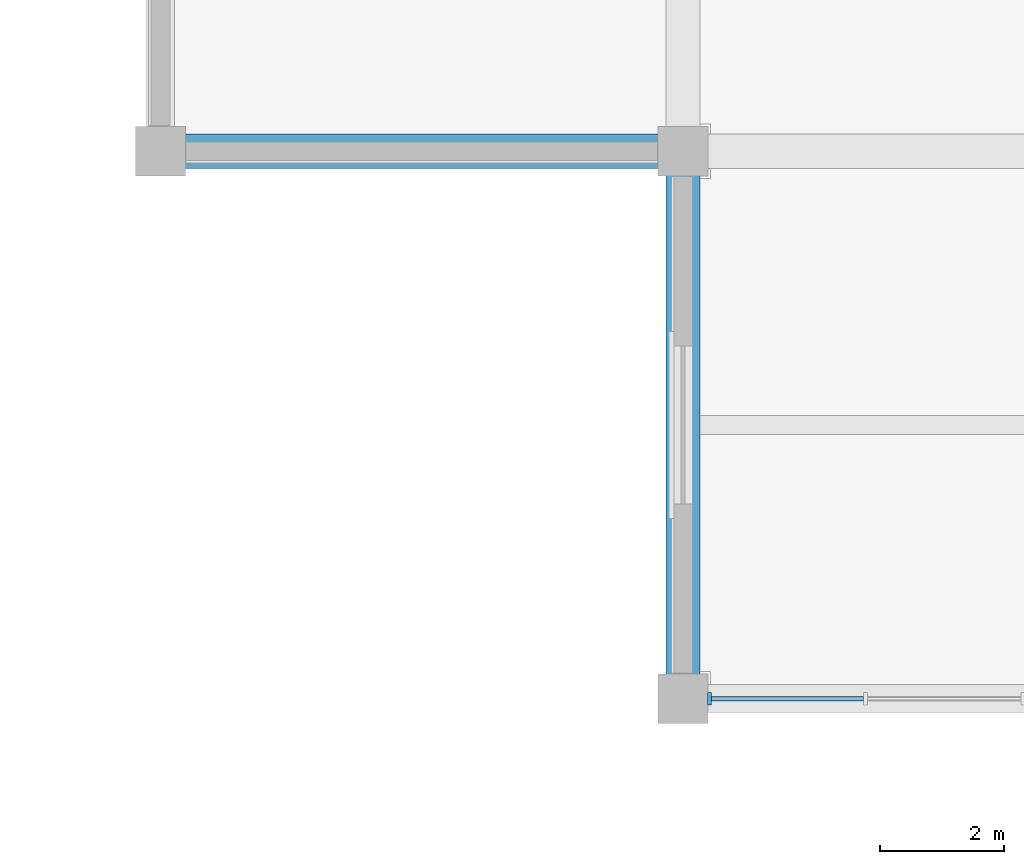
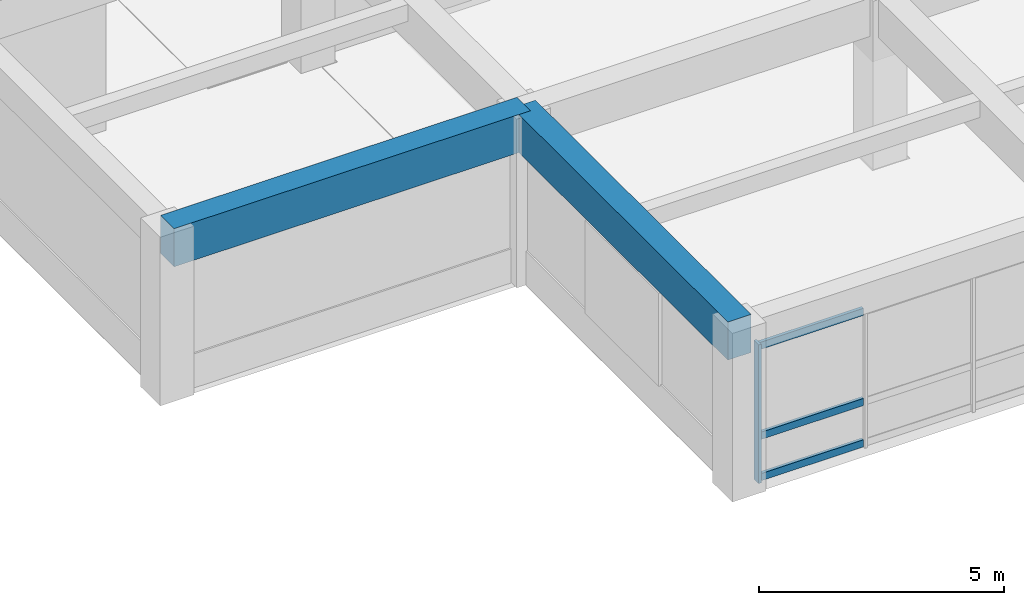
# One storey, part 11 of 46: 4 members, 2 beams, 1 element without a shape of its own.
"""IFC4 building model written with IfcOpenShell, lengths in metres."""

import ifcopenshell
import ifcopenshell.guid

model = None  # the IFC model being written
_history = None  # IfcOwnerHistory: only IFC2X3 demands one
_inside = {}  # id of a spatial element -> (the spatial element, [elements in it])
_under = {}  # id of a project, library or spatial element -> (it, [spatial elements below it])
_declared = {}  # id of a project -> (the project, [libraries it declares])
_typed = {}  # id of a type object -> (the type object, [elements of that type])
_made_of = {}  # id of a material, layer set ... -> (it, [elements and type objects made of it])


def new_model(schema):
    """Start an empty IFC model of exactly this schema.

    Asked for "IFC4X3", IfcOpenShell would pick the latest addendum, in which some entities
    have other attributes; the version numbers below select the first issue.
    IFC2X3 requires an IfcOwnerHistory on every rooted entity: one is made here for all.
    """
    global model, _history
    if schema == "IFC4X3":
        model = ifcopenshell.file(schema_version=(4, 3, 0, 0))
    else:
        model = ifcopenshell.file(schema=schema)
    _inside.clear()
    _under.clear()
    _declared.clear()
    _typed.clear()
    _made_of.clear()
    _history = None
    if model.schema == "IFC2X3":
        org = make("IfcOrganization", Name="unknown")
        user = make(
            "IfcPersonAndOrganization",
            ThePerson=make("IfcPerson", FamilyName="unknown"),
            TheOrganization=org,
        )
        app = make(
            "IfcApplication",
            ApplicationDeveloper=org,
            Version="unknown",
            ApplicationFullName="unknown",
            ApplicationIdentifier="unknown",
        )
        _history = make(
            "IfcOwnerHistory",
            OwningUser=user,
            OwningApplication=app,
            ChangeAction="ADDED",
            CreationDate=0,
        )
    return model


def make(cls, **values):
    """One entity of the class cls with the attributes given. An attribute that is None is left unset."""
    return model.create_entity(
        cls, **{name: value for name, value in values.items() if value is not None}
    )


def rooted(cls, **values):
    """An entity with a GlobalId (a new one), such as an element, a storey or a relation."""
    return make(cls, GlobalId=ifcopenshell.guid.new(), OwnerHistory=_history, **values)


def si_unit(unit_type, name, prefix=None):
    """IfcSIUnit, for example si_unit("LENGTHUNIT", "METRE", prefix="MILLI")."""
    return make("IfcSIUnit", UnitType=unit_type, Prefix=prefix, Name=name)


def assignment(units):
    """IfcUnitAssignment: the units of a project."""
    return None if units is None else make("IfcUnitAssignment", Units=units)


def point(xyz):
    """IfcCartesianPoint."""
    return None if xyz is None else make("IfcCartesianPoint", Coordinates=xyz)


def direction(xyz):
    """IfcDirection."""
    return None if xyz is None else make("IfcDirection", DirectionRatios=xyz)


def frame(location, z_axis=None, x_axis=None):
    """IfcAxis2Placement3D, a coordinate frame: its origin and axes. An axis left out is left unset."""
    return make(
        "IfcAxis2Placement3D",
        Location=point(location),
        Axis=direction(z_axis),
        RefDirection=direction(x_axis),
    )


def frame_2d(location, x_axis=None):
    """IfcAxis2Placement2D, a coordinate frame in the plane: its origin and x axis."""
    return make(
        "IfcAxis2Placement2D", Location=point(location), RefDirection=direction(x_axis)
    )


def origin():
    """The frame at (0, 0, 0) with its axes left unset."""
    return frame((0.0, 0.0, 0.0))


def origin_2d():
    """The frame at (0, 0) in the plane with its x axis left unset."""
    return frame_2d((0.0, 0.0))


def place(relative_to, where):
    """IfcLocalPlacement: puts the frame where relative to a parent placement (None: the world)."""
    return make(
        "IfcLocalPlacement", PlacementRelTo=relative_to, RelativePlacement=where
    )


def context(
    kind, dimensions, precision=None, world=None, true_north=None, identifier=None
):
    """IfcGeometricRepresentationContext, for example the 3D "Model" context."""
    return make(
        "IfcGeometricRepresentationContext",
        ContextIdentifier=identifier,
        ContextType=kind,
        CoordinateSpaceDimension=dimensions,
        Precision=precision,
        WorldCoordinateSystem=world,
        TrueNorth=true_north,
    )


def subcontext(parent, identifier, kind, view, scale=None):
    """IfcGeometricRepresentationSubContext, for example "Body" below "Model"."""
    return make(
        "IfcGeometricRepresentationSubContext",
        ContextIdentifier=identifier,
        ContextType=kind,
        ParentContext=parent,
        TargetScale=scale,
        TargetView=view,
    )


def project(units=None, contexts=None):
    """IfcProject with its units and contexts."""
    return rooted(
        "IfcProject",
        Name="project",
        RepresentationContexts=contexts,
        UnitsInContext=assignment(units),
    )


def spatial(cls, under=None, at=None, **own):
    """A site, building, storey or space (cls), placed at a placement, below another one or the project."""
    s = rooted(cls, ObjectPlacement=at, **own)
    if under is not None:
        _under.setdefault(under.id(), (under, []))[1].append(s)
    return s


def profile(cls, at=None, kind="AREA", **sizes):
    """A parametric profile (cls). Its sizes go by their IFC names, for example OverallWidth=200.0."""
    return make(cls, ProfileType=kind, Position=at, **sizes)


def rectangle(**sizes):
    """IfcRectangleProfileDef."""
    return profile("IfcRectangleProfileDef", **sizes)


def extrude(swept, where, along, depth):
    """IfcExtrudedAreaSolid: the profile swept, set in the frame where, extruded along a direction by depth."""
    return make(
        "IfcExtrudedAreaSolid",
        SweptArea=swept,
        Position=where,
        ExtrudedDirection=direction(along),
        Depth=depth,
    )


def shape(context_of_items, identifier, shape_type, items):
    """IfcShapeRepresentation: the items that make up one representation, for example the "Body"."""
    return make(
        "IfcShapeRepresentation",
        ContextOfItems=context_of_items,
        RepresentationIdentifier=identifier,
        RepresentationType=shape_type,
        Items=items,
    )


def material(Name=None, Category=None):
    """IfcMaterial."""
    return make("IfcMaterial", Name=Name, Category=Category)


def material_profile(
    of_material, cross_section, Name=None, Category=None, Priority=None
):
    """IfcMaterialProfile: a cross section and its material."""
    return make(
        "IfcMaterialProfile",
        Name=Name,
        Material=of_material,
        Profile=cross_section,
        Priority=Priority,
        Category=Category,
    )


def profile_set(profiles, Name=None, composite=None):
    """IfcMaterialProfileSet."""
    return make(
        "IfcMaterialProfileSet",
        Name=Name,
        MaterialProfiles=profiles,
        CompositeProfile=composite,
    )


def made_of(thing, what):
    """Note that an element or type object is made of a material, layer set ...; save() writes the relation."""
    if what is not None:
        _made_of.setdefault(what.id(), (what, []))[1].append(thing)
    return thing


def type_object(cls, material=None, **own):
    """A type object (cls), such as IfcWallType, which elements share."""
    return made_of(rooted(cls, **own), material)


def element(
    cls,
    number,
    at=None,
    inside=None,
    cuts=None,
    type_object=None,
    material=None,
    context=None,
    identifier="Body",
    shape_type=None,
    held_by="IfcProductDefinitionShape",
    body=None,
    shapes=None,
    **own,
):
    """One element of the class cls, such as IfcWall. Its Tag is "e" and its number.

    at: its placement. inside: the storey or other place that contains it. cuts: it is an
    opening in that element (IfcRelVoidsElement). A single representation is given by context,
    identifier, shape_type and body (its items); several are given by shapes. held_by: the class
    of the entity that holds the representations. save() writes the other relations.
    """
    e = rooted(cls, Tag="e%d" % number, ObjectPlacement=at, **own)
    if body is not None:
        shapes = [shape(context, identifier, shape_type, body)]
    if shapes is not None:
        e.Representation = make(held_by, Representations=shapes)
    if inside is not None:
        _inside.setdefault(inside.id(), (inside, []))[1].append(e)
    if cuts is not None:
        rooted(
            "IfcRelVoidsElement", RelatingBuildingElement=cuts, RelatedOpeningElement=e
        )
    if type_object is not None:
        _typed.setdefault(type_object.id(), (type_object, []))[1].append(e)
    return made_of(e, material)


def aggregate(whole, parts):
    """IfcRelAggregates: a whole, such as a stair, and the parts it consists of."""
    return rooted("IfcRelAggregates", RelatingObject=whole, RelatedObjects=parts)


def save(model, path):
    """Write the relations noted so far, then the file.

    IfcRelAggregates (storeys below a building ...), IfcRelContainedInSpatialStructure (elements
    in a storey), IfcRelDefinesByType, IfcRelAssociatesMaterial and IfcRelDeclares: one each for
    every whole, place, type object, material and project.
    """
    for whole, parts in _under.values():
        aggregate(whole, parts)
    for where, things in _inside.values():
        rooted(
            "IfcRelContainedInSpatialStructure",
            RelatedElements=things,
            RelatingStructure=where,
        )
    for kind, things in _typed.values():
        rooted("IfcRelDefinesByType", RelatedObjects=things, RelatingType=kind)
    for what, things in _made_of.values():
        rooted("IfcRelAssociatesMaterial", RelatedObjects=things, RelatingMaterial=what)
    for by, libraries in _declared.values():
        rooted("IfcRelDeclares", RelatingContext=by, RelatedDefinitions=libraries)
    model.write(path)


model = new_model("IFC4")

# Units and contexts
model_context = context("Model", 3, precision=1e-05, world=origin(), true_north=direction((0.0, 1.0)))
body_context = subcontext(model_context, "Body", "Model", "MODEL_VIEW")
ifc_project = project(units=[si_unit("LENGTHUNIT", "METRE"), si_unit("AREAUNIT", "SQUARE_METRE"), si_unit("VOLUMEUNIT", "CUBIC_METRE"), si_unit("PLANEANGLEUNIT", "RADIAN"), si_unit("MASSUNIT", "GRAM", prefix="KILO")], contexts=[model_context])

# Site, building, storey
site_placement = place(None, origin())
site = spatial("IfcSite", under=ifc_project, at=site_placement, CompositionType="ELEMENT")
building_placement = place(site_placement, origin())
building = spatial("IfcBuilding", under=site, at=building_placement, Name="Kemercrest Conservatory and Botanical Centre", CompositionType="ELEMENT")
storey_placement = place(building_placement, frame((0.0, 0.0, 9.0)))
storey = spatial("IfcBuildingStorey", under=building, at=storey_placement, Name="L02", CompositionType="ELEMENT", Elevation=9.0)

# Beams
ifc_material_1 = material(Name="Concrete C50/60", Category="concrete")
ifc_material_profile_1 = material_profile(ifc_material_1, rectangle(XDim=0.550048828125, YDim=0.949951171875, at=origin_2d()), Name="RC 550x950")
ifc_profile_set_1 = profile_set([ifc_material_profile_1], Name="Concrete C50/60")
beam_type = type_object("IfcBeamType", Name="BM-RC95", PredefinedType="BEAM", material=ifc_profile_set_1)
beam_1_placement = place(storey_placement, frame((125.60009765625, 78.39990234375, 3.72509765625), z_axis=(1.0, 0.0, 0.0), x_axis=(0.0, 1.0, 0.0)))
element("IfcBeam", 1, at=beam_1_placement, inside=storey, type_object=beam_type, Name="V4-L03 beam BM-RC95 J/15-16", PredefinedType="BEAM", context=body_context, shape_type="SweptSolid", body=[
    extrude(rectangle(XDim=0.550048828125, YDim=0.949951171875, at=origin_2d()), origin(), (0.0, 0.0, 1.0), 8.39990234375),
])
beam_2_placement = place(storey_placement, frame((134.0, 69.60009765625, 3.72509765625), z_axis=(0.0, 1.0, 0.0), x_axis=(-1.0, 0.0, 0.0)))
element("IfcBeam", 2, at=beam_2_placement, inside=storey, type_object=beam_type, Name="V4-L03 beam BM-RC95 16/H-J", PredefinedType="BEAM", context=body_context, shape_type="SweptSolid", body=[
    extrude(rectangle(XDim=0.550048828125, YDim=0.949951171875, at=origin_2d()), origin(), (0.0, 0.0, 1.0), 8.7998046875),
])

# Curtain wall, members
ifc_material_2 = material(Name="Thermally broken aluminium and triple low-e glazing", Category="aluminium")
curtain_wall_type = type_object("IfcCurtainWallType", Name="CW-26", PredefinedType="USERDEFINED", material=ifc_material_2)
curtain_wall_placement = place(storey_placement, origin())
curtain_wall = element("IfcCurtainWall", 3, at=curtain_wall_placement, inside=storey, type_object=curtain_wall_type, Name="Unitised curtain wall CW-26 (CW:L02:V4-055)", ObjectType="UNITISED CURTAIN WALL", PredefinedType="USERDEFINED")
ifc_material_3 = material(Name="Thermally broken anodized aluminium 6063-T6", Category="aluminium")
ifc_material_profile_2 = material_profile(ifc_material_3, rectangle(XDim=0.199951171875, YDim=0.06494140625, at=origin_2d()), Name="AL MULLION 65x200")
ifc_profile_set_2 = profile_set([ifc_material_profile_2], Name="Thermally broken anodized aluminium 6063-T6")
member_type_1 = type_object("IfcMemberType", Name="CW-M200", PredefinedType="MULLION", material=ifc_profile_set_2)
member_1_placement = place(storey_placement, frame((134.427490234375, 69.60009765625, 0.0), z_axis=(0.0, 0.0, 1.0), x_axis=(0.0, 1.0, 0.0)))
member_1 = element("IfcMember", 4, at=member_1_placement, type_object=member_type_1, Name="CW-26 mullion 1", PredefinedType="MULLION", context=body_context, shape_type="SweptSolid", body=[
    extrude(rectangle(XDim=0.199951171875, YDim=0.06494140625, at=origin_2d()), origin(), (0.0, 0.0, 1.0), 3.455078125),
])
ifc_material_profile_3 = material_profile(ifc_material_3, rectangle(XDim=0.074951171875, YDim=0.179931640625, at=origin_2d()), Name="AL TRANSOM 75x180")
ifc_profile_set_3 = profile_set([ifc_material_profile_3], Name="Thermally broken anodized aluminium 6063-T6")
member_type_2 = type_object("IfcMemberType", Name="CW-T180", PredefinedType="USERDEFINED", material=ifc_profile_set_3)
member_2_placement = place(storey_placement, frame((134.4599609375, 69.60009765625, 0.090087890625), z_axis=(1.0, 0.0, 0.0), x_axis=(0.0, 1.0, 0.0)))
member_2 = element("IfcMember", 5, at=member_2_placement, type_object=member_type_2, Name="CW-26 transom 1.1", ObjectType="TRANSOM", PredefinedType="USERDEFINED", context=body_context, shape_type="SweptSolid", body=[
    extrude(rectangle(XDim=0.074951171875, YDim=0.179931640625, at=origin_2d()), origin(), (0.0, 0.0, 1.0), 2.439208984375),
])
member_3_placement = place(storey_placement, frame((134.4599609375, 69.60009765625, 1.1201171875), z_axis=(1.0, 0.0, 0.0), x_axis=(0.0, 1.0, 0.0)))
member_3 = element("IfcMember", 6, at=member_3_placement, type_object=member_type_2, Name="CW-26 transom 1.2", ObjectType="TRANSOM", PredefinedType="USERDEFINED", context=body_context, shape_type="SweptSolid", body=[
    extrude(rectangle(XDim=0.074951171875, YDim=0.179931640625, at=origin_2d()), origin(), (0.0, 0.0, 1.0), 2.439208984375),
])
member_4_placement = place(storey_placement, frame((134.4599609375, 69.60009765625, 3.364990234375), z_axis=(1.0, 0.0, 0.0), x_axis=(0.0, 1.0, 0.0)))
member_4 = element("IfcMember", 7, at=member_4_placement, type_object=member_type_2, Name="CW-26 transom 1.3", ObjectType="TRANSOM", PredefinedType="USERDEFINED", context=body_context, shape_type="SweptSolid", body=[
    extrude(rectangle(XDim=0.074951171875, YDim=0.179931640625, at=origin_2d()), origin(), (0.0, 0.0, 1.0), 2.439208984375),
])
aggregate(curtain_wall, [member_1, member_2, member_3, member_4])

save(model, "model.ifc")
